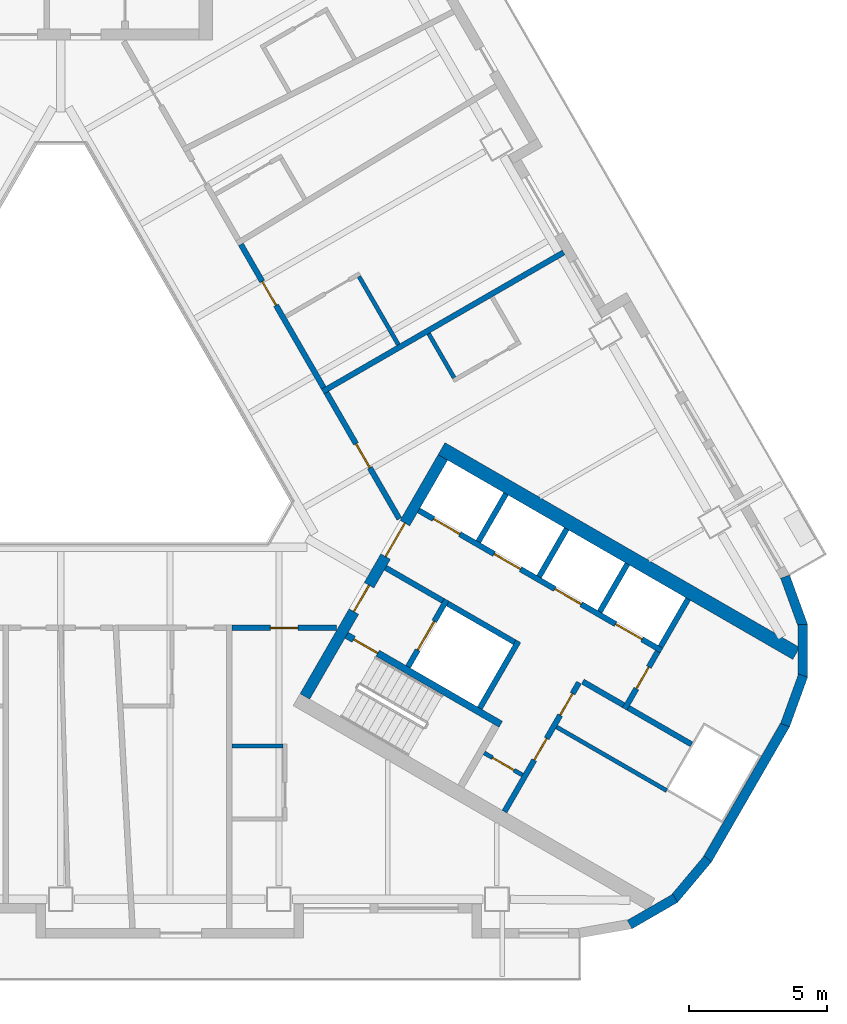
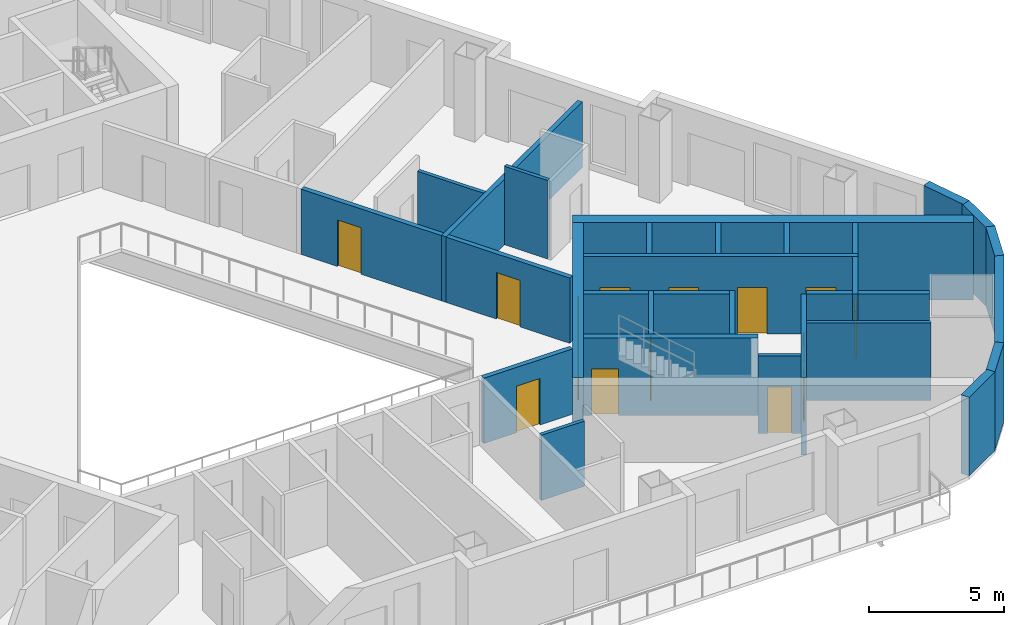
# One storey, part 5 of 14: 31 walls, 15 doors, 15 openings.
"""IFC4 building model written with IfcOpenShell, lengths in metres."""

from ifc_helpers import new_model, si_unit, direction, frame, frame_2d, origin, place, context, subcontext, project, spatial, rectangle, extrude, material, layer, layer_set, type_object, element, fill, save


model = new_model("IFC4")

# Units and contexts
model_context = context("Model", 3, precision=1e-05, world=origin(), true_north=direction((0.0, 1.0)))
body_context = subcontext(model_context, "Body", "Model", "MODEL_VIEW")
ifc_project = project(units=[si_unit("LENGTHUNIT", "METRE"), si_unit("AREAUNIT", "SQUARE_METRE"), si_unit("VOLUMEUNIT", "CUBIC_METRE"), si_unit("PLANEANGLEUNIT", "RADIAN"), si_unit("MASSUNIT", "GRAM", prefix="KILO")], contexts=[model_context])

# Site, building, storey
site_placement = place(None, origin())
site = spatial("IfcSite", under=ifc_project, at=site_placement, CompositionType="ELEMENT")
building_placement = place(site_placement, origin())
building = spatial("IfcBuilding", under=site, at=building_placement, Name="Apuvela Tower Hotel", CompositionType="ELEMENT")
storey_placement = place(building_placement, frame((0.0, 0.0, 87.199951171875)))
storey = spatial("IfcBuildingStorey", under=building, at=storey_placement, Name="L19", CompositionType="ELEMENT", Elevation=87.199951171875)

# Wall, openings, doors
ifc_material_1 = material(Name="Concrete C50/60", Category="concrete")
ifc_layer_1 = layer(ifc_material_1, 0.39990234375)
ifc_layer_set_1 = layer_set([ifc_layer_1], Name="COR-WALL-CORE-400")
wall_type_1 = type_object("IfcWallType", Name="COR-WALL-CORE-400", PredefinedType="SHEAR", material=ifc_layer_set_1)
wall_1_placement = place(storey_placement, frame((8.844970703125, -10.880126953125, 0.0), z_axis=(0.0, 0.0, 1.0), x_axis=(0.500004234368, 0.866022959057, 0.0)))
wall_1 = element("IfcWall", 1, at=wall_1_placement, inside=storey, type_object=wall_type_1, Name="Core wall SE", PredefinedType="SHEAR", context=body_context, shape_type="SweptSolid", body=[
    extrude(rectangle(XDim=10.0, YDim=0.39990234375, at=frame_2d((5.0, 0.0))), origin(), (0.0, 0.0, 1.0), 3.5),
])
opening_1_placement = place(wall_1_placement, frame((3.550048828125, 0.0, 0.0)))
opening_1 = element("IfcOpeningElement", 2, at=opening_1_placement, cuts=wall_1, Name="Opening E-FD", PredefinedType="OPENING", context=body_context, shape_type="SweptSolid", body=[
    extrude(rectangle(XDim=1.10009765625, YDim=2.10009765625, at=frame_2d((0.550048828125, 1.050048828125))), frame((0.0, 0.2099609375, 0.0), z_axis=(0.0, -1.0, 0.0), x_axis=(1.0, 0.0, 0.0)), (0.0, 0.0, 1.0), 0.419921875),
])
opening_2_placement = place(wall_1_placement, frame((5.85009765625, 0.0, 0.0)))
opening_2 = element("IfcOpeningElement", 3, at=opening_2_placement, cuts=wall_1, Name="Opening E-GD", PredefinedType="OPENING", context=body_context, shape_type="SweptSolid", body=[
    extrude(rectangle(XDim=1.39990234375, YDim=2.10009765625, at=frame_2d((0.699951171875, 1.050048828125))), frame((0.0, 0.2099609375, 0.0), z_axis=(0.0, -1.0, 0.0), x_axis=(1.0, 0.0, 0.0)), (0.0, 0.0, 1.0), 0.419921875),
])
ifc_material_2 = material(Name="Steel fire door, powder coated", Category="steel")
door_type_1 = type_object("IfcDoorType", Name="COR-FD-1100", OperationType="NOTDEFINED", PredefinedType="DOOR", material=ifc_material_2)
door_1_placement = place(opening_1_placement, frame((1.10009765625, 0.0, 0.0), z_axis=(0.0, 0.0, 1.0), x_axis=(-1.0, 0.0, 0.0)))
door_1 = element("IfcDoor", 4, at=door_1_placement, inside=storey, type_object=door_type_1, Name="Firefighting lobby door E-FD", OperationType="SINGLE_SWING_LEFT", OverallHeight=2.10009765625, OverallWidth=1.10009765625, PredefinedType="DOOR", context=body_context, shape_type="SweptSolid", body=[
    extrude(rectangle(XDim=1.10009765625, YDim=2.10009765625, at=frame_2d((0.550048828125, 1.050048828125))), frame((0.0, 0.02490234375, 0.0), z_axis=(0.0, -1.0, 0.0), x_axis=(1.0, 0.0, 0.0)), (0.0, 0.0, 1.0), 0.050048828125),
])
fill(opening_1, door_1)
ifc_material_3 = material(Name="Glazed steel fire door", Category="steel")
door_type_2 = type_object("IfcDoorType", Name="COR-GD-1400", OperationType="DOUBLE_DOOR_SINGLE_SWING", PredefinedType="DOOR", material=ifc_material_3)
door_2_placement = place(opening_2_placement, frame((1.39990234375, 0.0, 0.0), z_axis=(0.0, 0.0, 1.0), x_axis=(-1.0, 0.0, 0.0)))
door_2 = element("IfcDoor", 5, at=door_2_placement, inside=storey, type_object=door_type_2, Name="Lift lobby door E-GD", OperationType="DOUBLE_DOOR_SINGLE_SWING", OverallHeight=2.10009765625, OverallWidth=1.39990234375, PredefinedType="DOOR", context=body_context, shape_type="SweptSolid", body=[
    extrude(rectangle(XDim=1.39990234375, YDim=2.10009765625, at=frame_2d((0.699951171875, 1.050048828125))), frame((0.0, 0.02490234375, 0.0), z_axis=(0.0, -1.0, 0.0), x_axis=(1.0, 0.0, 0.0)), (0.0, 0.0, 1.0), 0.050048828125),
])
fill(opening_2, door_2)

# Wall
ifc_layer_2 = layer(ifc_material_1, 0.5)
ifc_layer_set_2 = layer_set([ifc_layer_2], Name="COR-WALL-CORE-500")
wall_type_2 = type_object("IfcWallType", Name="COR-WALL-CORE-500", PredefinedType="SHEAR", material=ifc_layer_set_2)
wall_2_placement = place(storey_placement, frame((13.796630859375, -1.9033203125, 0.0), z_axis=(0.0, 0.0, 1.0), x_axis=(0.866025009528, -0.500000682871, 0.0)))
element("IfcWall", 6, at=wall_2_placement, inside=storey, type_object=wall_type_2, Name="Core wall SE", PredefinedType="SHEAR", context=body_context, shape_type="SweptSolid", body=[
    extrude(rectangle(XDim=14.8369140625, YDim=0.5, at=frame_2d((7.41845703125, 0.0))), origin(), (0.0, 0.0, 1.0), 3.5),
])

# Wall, opening, door
ifc_material_4 = material(Name="Blockwork 150 mm plastered", Category="masonry")
ifc_layer_3 = layer(ifc_material_4, 0.14990234375)
ifc_layer_set_3 = layer_set([ifc_layer_3], Name="COR-WALL-PART-150")
wall_type_3 = type_object("IfcWallType", Name="COR-WALL-PART-150", PredefinedType="PARTITIONING", material=ifc_layer_set_3)
wall_3_placement = place(storey_placement, frame((15.341552734375, -12.927734375, 0.0), z_axis=(0.0, 0.0, 1.0), x_axis=(0.865989903783, -0.500061482766, 0.0)))
wall_3 = element("IfcWall", 7, at=wall_3_placement, inside=storey, type_object=wall_type_3, Name="Partition SE", PredefinedType="PARTITIONING", context=body_context, shape_type="SweptSolid", body=[
    extrude(rectangle(XDim=1.599853515625, YDim=0.14990234375, at=frame_2d((0.7998046875, 0.0))), origin(), (0.0, 0.0, 1.0), 3.5),
])
opening_3_placement = place(wall_3_placement, frame((0.35009765625, 0.0, 0.0)))
opening_3 = element("IfcOpeningElement", 8, at=opening_3_placement, cuts=wall_3, Name="Opening E-RD", PredefinedType="OPENING", context=body_context, shape_type="SweptSolid", body=[
    extrude(rectangle(XDim=0.89990234375, YDim=2.10009765625, at=frame_2d((0.449951171875, 1.050048828125))), frame((0.0, 0.0849609375, 0.0), z_axis=(0.0, -1.0, 0.0), x_axis=(1.0, 0.0, 0.0)), (0.0, 0.0, 1.0), 0.169921875),
])
ifc_material_5 = material(Name="Steel access door, powder coated", Category="steel")
door_type_3 = type_object("IfcDoorType", Name="COR-RD-900", OperationType="NOTDEFINED", PredefinedType="DOOR", material=ifc_material_5)
door_3_placement = place(opening_3_placement, frame((0.89990234375, 0.0, 0.0), z_axis=(0.0, 0.0, 1.0), x_axis=(-1.0, 0.0, 0.0)))
door_3 = element("IfcDoor", 9, at=door_3_placement, inside=storey, type_object=door_type_3, Name="Riser door E-RD", OperationType="SINGLE_SWING_LEFT", OverallHeight=2.10009765625, OverallWidth=0.89990234375, PredefinedType="DOOR", context=body_context, shape_type="SweptSolid", body=[
    extrude(rectangle(XDim=0.89990234375, YDim=2.10009765625, at=frame_2d((0.449951171875, 1.050048828125))), frame((0.0, 0.02490234375, 0.0), z_axis=(0.0, -1.0, 0.0), x_axis=(1.0, 0.0, 0.0)), (0.0, 0.0, 1.0), 0.050048828125),
])
fill(opening_3, door_3)

# Wall
wall_4_placement = place(storey_placement, frame((17.962890625, -11.9873046875, 0.0), z_axis=(0.0, 0.0, 1.0), x_axis=(0.865998608524, -0.500046407882, 0.0)))
element("IfcWall", 10, at=wall_4_placement, inside=storey, type_object=wall_type_3, Name="Partition SE", PredefinedType="PARTITIONING", context=body_context, shape_type="SweptSolid", body=[
    extrude(rectangle(XDim=4.60986328125, YDim=0.14990234375, at=frame_2d((2.304931640625, 0.0))), origin(), (0.0, 0.0, 1.0), 3.5),
])

# Wall, openings, doors
ifc_material_6 = material(Name="Blockwork 200 mm plastered", Category="masonry")
ifc_layer_4 = layer(ifc_material_6, 0.199951171875)
ifc_layer_set_4 = layer_set([ifc_layer_4], Name="COR-WALL-PART-200")
wall_type_4 = type_object("IfcWallType", Name="COR-WALL-PART-200", PredefinedType="PARTITIONING", material=ifc_layer_set_4)
wall_5_placement = place(storey_placement, frame((16.076171875, -15.05517578125, 0.0), z_axis=(0.0, 0.0, 1.0), x_axis=(0.499995103361, 0.866028230842, 0.0)))
wall_5 = element("IfcWall", 11, at=wall_5_placement, inside=storey, type_object=wall_type_4, Name="Partition SE", PredefinedType="PARTITIONING", context=body_context, shape_type="SweptSolid", body=[
    extrude(rectangle(XDim=5.39990234375, YDim=0.199951171875, at=frame_2d((2.699951171875, 0.0))), origin(), (0.0, 0.0, 1.0), 3.5),
])
opening_4_placement = place(wall_5_placement, frame((2.16259765625, 0.0, 0.0)))
opening_4 = element("IfcOpeningElement", 12, at=opening_4_placement, cuts=wall_5, Name="Opening E-RS1", PredefinedType="OPENING", context=body_context, shape_type="SweptSolid", body=[
    extrude(rectangle(XDim=0.89990234375, YDim=2.10009765625, at=frame_2d((0.449951171875, 1.050048828125))), frame((0.0, 0.10986328125, 0.0), z_axis=(0.0, -1.0, 0.0), x_axis=(1.0, 0.0, 0.0)), (0.0, 0.0, 1.0), 0.219970703125),
])
opening_5_placement = place(wall_5_placement, frame((4.03759765625, 0.0, 0.0)))
opening_5 = element("IfcOpeningElement", 13, at=opening_5_placement, cuts=wall_5, Name="Opening E-RS2", PredefinedType="OPENING", context=body_context, shape_type="SweptSolid", body=[
    extrude(rectangle(XDim=0.89990234375, YDim=2.10009765625, at=frame_2d((0.449951171875, 1.050048828125))), frame((0.0, 0.10986328125, 0.0), z_axis=(0.0, -1.0, 0.0), x_axis=(1.0, 0.0, 0.0)), (0.0, 0.0, 1.0), 0.219970703125),
])
door_type_4 = type_object("IfcDoorType", Name="COR-DR-900", OperationType="NOTDEFINED", PredefinedType="DOOR", material=ifc_material_2)
door_4_placement = place(opening_4_placement, frame((0.89990234375, 0.0, 0.0), z_axis=(0.0, 0.0, 1.0), x_axis=(-1.0, 0.0, 0.0)))
door_4 = element("IfcDoor", 14, at=door_4_placement, inside=storey, type_object=door_type_4, Name="Store door E-RS1", OperationType="SINGLE_SWING_LEFT", OverallHeight=2.10009765625, OverallWidth=0.89990234375, PredefinedType="DOOR", context=body_context, shape_type="SweptSolid", body=[
    extrude(rectangle(XDim=0.89990234375, YDim=2.10009765625, at=frame_2d((0.449951171875, 1.050048828125))), frame((0.0, 0.02490234375, 0.0), z_axis=(0.0, -1.0, 0.0), x_axis=(1.0, 0.0, 0.0)), (0.0, 0.0, 1.0), 0.050048828125),
])
fill(opening_4, door_4)
door_5_placement = place(opening_5_placement, frame((0.89990234375, 0.0, 0.0), z_axis=(0.0, 0.0, 1.0), x_axis=(-1.0, 0.0, 0.0)))
door_5 = element("IfcDoor", 15, at=door_5_placement, inside=storey, type_object=door_type_4, Name="Store door E-RS2", OperationType="SINGLE_SWING_LEFT", OverallHeight=2.10009765625, OverallWidth=0.89990234375, PredefinedType="DOOR", context=body_context, shape_type="SweptSolid", body=[
    extrude(rectangle(XDim=0.89990234375, YDim=2.10009765625, at=frame_2d((0.449951171875, 1.050048828125))), frame((0.0, 0.02490234375, 0.0), z_axis=(0.0, -1.0, 0.0), x_axis=(1.0, 0.0, 0.0)), (0.0, 0.0, 1.0), 0.050048828125),
])
fill(opening_5, door_5)

# Wall
ifc_layer_5 = layer(ifc_material_1, 0.199951171875)
ifc_layer_set_5 = layer_set([ifc_layer_5], Name="COR-WALL-SHAFT-200")
wall_type_5 = type_object("IfcWallType", Name="COR-WALL-SHAFT-200", PredefinedType="SHEAR", material=ifc_layer_set_5)
wall_6_placement = place(storey_placement, frame((15.181396484375, -11.305419921875, 0.0), z_axis=(0.0, 0.0, 1.0), x_axis=(0.49994636267, 0.866056369097, 0.0)))
element("IfcWall", 16, at=wall_6_placement, inside=storey, type_object=wall_type_5, Name="Shaft wall SE", PredefinedType="SHEAR", context=body_context, shape_type="SweptSolid", body=[
    extrude(rectangle(XDim=2.800048828125, YDim=0.199951171875, at=frame_2d((1.39990234375, 0.0))), origin(), (0.0, 0.0, 1.0), 3.5),
])

# Wall, opening, door
wall_7_placement = place(storey_placement, frame((12.583251953125, -9.805419921875, 0.0), z_axis=(0.0, 0.0, 1.0), x_axis=(0.49994636267, 0.866056369097, 0.0)))
wall_7 = element("IfcWall", 17, at=wall_7_placement, inside=storey, type_object=wall_type_5, Name="Shaft wall SE", PredefinedType="SHEAR", context=body_context, shape_type="SweptSolid", body=[
    extrude(rectangle(XDim=2.800048828125, YDim=0.199951171875, at=frame_2d((1.39990234375, 0.0))), origin(), (0.0, 0.0, 1.0), 3.5),
])
opening_6_placement = place(wall_7_placement, frame((0.699951171875, 0.0, 0.0)))
opening_6 = element("IfcOpeningElement", 18, at=opening_6_placement, cuts=wall_7, Name="Opening E-LD-FS3", PredefinedType="OPENING", context=body_context, shape_type="SweptSolid", body=[
    extrude(rectangle(XDim=1.199951171875, YDim=2.10009765625, at=frame_2d((0.60009765625, 1.050048828125))), frame((0.0, 0.10986328125, 0.0), z_axis=(0.0, -1.0, 0.0), x_axis=(1.0, 0.0, 0.0)), (0.0, 0.0, 1.0), 0.219970703125),
])
ifc_material_7 = material(Name="Stainless steel lift landing door", Category="steel")
door_type_5 = type_object("IfcDoorType", Name="COR-LD-1200", OperationType="DOUBLE_DOOR_SLIDING", PredefinedType="DOOR", material=ifc_material_7)
door_6_placement = place(opening_6_placement, origin())
door_6 = element("IfcDoor", 19, at=door_6_placement, inside=storey, type_object=door_type_5, Name="Lift landing door E-LD-FS3", OperationType="DOUBLE_DOOR_SLIDING", OverallHeight=2.10009765625, OverallWidth=1.199951171875, PredefinedType="DOOR", context=body_context, shape_type="SweptSolid", body=[
    extrude(rectangle(XDim=1.199951171875, YDim=2.10009765625, at=frame_2d((0.60009765625, 1.050048828125))), frame((0.0, 0.02490234375, 0.0), z_axis=(0.0, -1.0, 0.0), x_axis=(1.0, 0.0, 0.0)), (0.0, 0.0, 1.0), 0.050048828125),
])
fill(opening_6, door_6)

# Walls
wall_8_placement = place(storey_placement, frame((11.76806640625, -6.217041015625, 0.0), z_axis=(0.0, 0.0, 1.0), x_axis=(0.866050077142, -0.499957262057, 0.0)))
element("IfcWall", 20, at=wall_8_placement, inside=storey, type_object=wall_type_5, Name="Shaft wall SE", PredefinedType="SHEAR", context=body_context, shape_type="SweptSolid", body=[
    extrude(rectangle(XDim=2.400146484375, YDim=0.199951171875, at=frame_2d((1.2001953125, 0.0))), origin(), (0.0, 0.0, 1.0), 3.5),
])
wall_9_placement = place(storey_placement, frame((14.019775390625, -7.51708984375, 0.0), z_axis=(0.0, 0.0, 1.0), x_axis=(0.866034573852, -0.49998411664, 0.0)))
element("IfcWall", 21, at=wall_9_placement, inside=storey, type_object=wall_type_5, Name="Shaft wall SE", PredefinedType="SHEAR", context=body_context, shape_type="SweptSolid", body=[
    extrude(rectangle(XDim=2.7998046875, YDim=0.199951171875, at=frame_2d((1.39990234375, 0.0))), origin(), (0.0, 0.0, 1.0), 3.5),
])

# Wall, openings, doors
wall_10_placement = place(storey_placement, frame((12.968017578125, -4.138427734375, 0.0), z_axis=(0.0, 0.0, 1.0), x_axis=(0.866028328073, -0.49999493495, 0.0)))
wall_10 = element("IfcWall", 22, at=wall_10_placement, inside=storey, type_object=wall_type_5, Name="Shaft wall SE", PredefinedType="SHEAR", context=body_context, shape_type="SweptSolid", body=[
    extrude(rectangle(XDim=10.16015625, YDim=0.199951171875, at=frame_2d((5.080078125, 0.0))), origin(), (0.0, 0.0, 1.0), 3.5),
])
opening_7_placement = place(wall_10_placement, frame((0.6201171875, 0.0, 0.0)))
opening_7 = element("IfcOpeningElement", 23, at=opening_7_placement, cuts=wall_10, Name="Opening E-LD-LR1", PredefinedType="OPENING", context=body_context, shape_type="SweptSolid", body=[
    extrude(rectangle(XDim=1.10009765625, YDim=2.10009765625, at=frame_2d((0.550048828125, 1.050048828125))), frame((0.0, 0.10986328125, 0.0), z_axis=(0.0, -1.0, 0.0), x_axis=(1.0, 0.0, 0.0)), (0.0, 0.0, 1.0), 0.219970703125),
])
opening_8_placement = place(wall_10_placement, frame((3.159912109375, 0.0, 0.0)))
opening_8 = element("IfcOpeningElement", 24, at=opening_8_placement, cuts=wall_10, Name="Opening E-LD-LR2", PredefinedType="OPENING", context=body_context, shape_type="SweptSolid", body=[
    extrude(rectangle(XDim=1.10009765625, YDim=2.10009765625, at=frame_2d((0.550048828125, 1.050048828125))), frame((0.0, 0.10986328125, 0.0), z_axis=(0.0, -1.0, 0.0), x_axis=(1.0, 0.0, 0.0)), (0.0, 0.0, 1.0), 0.219970703125),
])
opening_9_placement = place(wall_10_placement, frame((5.699951171875, 0.0, 0.0)))
opening_9 = element("IfcOpeningElement", 25, at=opening_9_placement, cuts=wall_10, Name="Opening E-LD-LR3", PredefinedType="OPENING", context=body_context, shape_type="SweptSolid", body=[
    extrude(rectangle(XDim=1.10009765625, YDim=2.10009765625, at=frame_2d((0.550048828125, 1.050048828125))), frame((0.0, 0.10986328125, 0.0), z_axis=(0.0, -1.0, 0.0), x_axis=(1.0, 0.0, 0.0)), (0.0, 0.0, 1.0), 0.219970703125),
])
opening_10_placement = place(wall_10_placement, frame((8.239990234375, 0.0, 0.0)))
opening_10 = element("IfcOpeningElement", 26, at=opening_10_placement, cuts=wall_10, Name="Opening E-LD-LR4", PredefinedType="OPENING", context=body_context, shape_type="SweptSolid", body=[
    extrude(rectangle(XDim=1.10009765625, YDim=2.10009765625, at=frame_2d((0.550048828125, 1.050048828125))), frame((0.0, 0.10986328125, 0.0), z_axis=(0.0, -1.0, 0.0), x_axis=(1.0, 0.0, 0.0)), (0.0, 0.0, 1.0), 0.219970703125),
])
door_type_6 = type_object("IfcDoorType", Name="COR-LD-1100", OperationType="DOUBLE_DOOR_SLIDING", PredefinedType="DOOR", material=ifc_material_7)
door_7_placement = place(opening_7_placement, origin())
door_7 = element("IfcDoor", 27, at=door_7_placement, inside=storey, type_object=door_type_6, Name="Lift landing door E-LD-LR1", OperationType="DOUBLE_DOOR_SLIDING", OverallHeight=2.10009765625, OverallWidth=1.10009765625, PredefinedType="DOOR", context=body_context, shape_type="SweptSolid", body=[
    extrude(rectangle(XDim=1.10009765625, YDim=2.10009765625, at=frame_2d((0.550048828125, 1.050048828125))), frame((0.0, 0.02490234375, 0.0), z_axis=(0.0, -1.0, 0.0), x_axis=(1.0, 0.0, 0.0)), (0.0, 0.0, 1.0), 0.050048828125),
])
fill(opening_7, door_7)
door_8_placement = place(opening_8_placement, origin())
door_8 = element("IfcDoor", 28, at=door_8_placement, inside=storey, type_object=door_type_6, Name="Lift landing door E-LD-LR2", OperationType="DOUBLE_DOOR_SLIDING", OverallHeight=2.10009765625, OverallWidth=1.10009765625, PredefinedType="DOOR", context=body_context, shape_type="SweptSolid", body=[
    extrude(rectangle(XDim=1.10009765625, YDim=2.10009765625, at=frame_2d((0.550048828125, 1.050048828125))), frame((0.0, 0.02490234375, 0.0), z_axis=(0.0, -1.0, 0.0), x_axis=(1.0, 0.0, 0.0)), (0.0, 0.0, 1.0), 0.050048828125),
])
fill(opening_8, door_8)
door_9_placement = place(opening_9_placement, origin())
door_9 = element("IfcDoor", 29, at=door_9_placement, inside=storey, type_object=door_type_6, Name="Lift landing door E-LD-LR3", OperationType="DOUBLE_DOOR_SLIDING", OverallHeight=2.10009765625, OverallWidth=1.10009765625, PredefinedType="DOOR", context=body_context, shape_type="SweptSolid", body=[
    extrude(rectangle(XDim=1.10009765625, YDim=2.10009765625, at=frame_2d((0.550048828125, 1.050048828125))), frame((0.0, 0.02490234375, 0.0), z_axis=(0.0, -1.0, 0.0), x_axis=(1.0, 0.0, 0.0)), (0.0, 0.0, 1.0), 0.050048828125),
])
fill(opening_9, door_9)
door_10_placement = place(opening_10_placement, origin())
door_10 = element("IfcDoor", 30, at=door_10_placement, inside=storey, type_object=door_type_6, Name="Lift landing door E-LD-LR4", OperationType="DOUBLE_DOOR_SLIDING", OverallHeight=2.10009765625, OverallWidth=1.10009765625, PredefinedType="DOOR", context=body_context, shape_type="SweptSolid", body=[
    extrude(rectangle(XDim=1.10009765625, YDim=2.10009765625, at=frame_2d((0.550048828125, 1.050048828125))), frame((0.0, 0.02490234375, 0.0), z_axis=(0.0, -1.0, 0.0), x_axis=(1.0, 0.0, 0.0)), (0.0, 0.0, 1.0), 0.050048828125),
])
fill(opening_10, door_10)

# Wall, opening, door
wall_11_placement = place(storey_placement, frame((20.430419921875, -11.33349609375, 0.0), z_axis=(0.0, 0.0, 1.0), x_axis=(0.500001309137, 0.866024647952, 0.0)))
wall_11 = element("IfcWall", 31, at=wall_11_placement, inside=storey, type_object=wall_type_5, Name="Shaft wall SE", PredefinedType="SHEAR", context=body_context, shape_type="SweptSolid", body=[
    extrude(rectangle(XDim=2.39990234375, YDim=0.199951171875, at=frame_2d((1.199951171875, 0.0))), origin(), (0.0, 0.0, 1.0), 3.5),
])
opening_11_placement = place(wall_11_placement, frame((0.85009765625, 0.0, 0.0)))
opening_11 = element("IfcOpeningElement", 32, at=opening_11_placement, cuts=wall_11, Name="Opening E-REP", PredefinedType="OPENING", context=body_context, shape_type="SweptSolid", body=[
    extrude(rectangle(XDim=0.89990234375, YDim=2.10009765625, at=frame_2d((0.449951171875, 1.050048828125))), frame((0.0, 0.10986328125, 0.0), z_axis=(0.0, -1.0, 0.0), x_axis=(1.0, 0.0, 0.0)), (0.0, 0.0, 1.0), 0.219970703125),
])
door_11_placement = place(opening_11_placement, frame((0.89990234375, 0.0, 0.0), z_axis=(0.0, 0.0, 1.0), x_axis=(-1.0, 0.0, 0.0)))
door_11 = element("IfcDoor", 33, at=door_11_placement, inside=storey, type_object=door_type_4, Name="Store door E-REP", OperationType="SINGLE_SWING_RIGHT", OverallHeight=2.10009765625, OverallWidth=0.89990234375, PredefinedType="DOOR", context=body_context, shape_type="SweptSolid", body=[
    extrude(rectangle(XDim=0.89990234375, YDim=2.10009765625, at=frame_2d((0.449951171875, 1.050048828125))), frame((0.0, 0.02490234375, 0.0), z_axis=(0.0, -1.0, 0.0), x_axis=(1.0, 0.0, 0.0)), (0.0, 0.0, 1.0), 0.050048828125),
])
fill(opening_11, door_11)

# Walls
wall_12_placement = place(storey_placement, frame((18.912841796875, -10.342041015625, 0.0), z_axis=(0.0, 0.0, 1.0), x_axis=(0.866038183914, -0.499977863513, 0.0)))
element("IfcWall", 34, at=wall_12_placement, inside=storey, type_object=wall_type_5, Name="Shaft wall SE", PredefinedType="SHEAR", context=body_context, shape_type="SweptSolid", body=[
    extrude(rectangle(XDim=1.7099609375, YDim=0.199951171875, at=frame_2d((0.85498046875, 0.0))), origin(), (0.0, 0.0, 1.0), 3.5),
])
for number, where, z_axis, x_axis, name in (
    (35, (15.131103515625, -5.27197265625, 0.0), (0.0, 0.0, 1.0), (0.499972520799, 0.866041268327, 0.0), "Shaft wall SE"),
    (36, (17.330810546875, -6.5419921875, 0.0), (0.0, 0.0, 1.0), (0.499972520799, 0.866041268327, 0.0), "Shaft wall SE"),
    (37, (19.530517578125, -7.81201171875, 0.0), (0.0, 0.0, 1.0), (0.499972520799, 0.866041268327, 0.0), "Shaft wall SE"),
    (38, (21.73046875, -9.081787109375, 0.0), (0.0, 0.0, 1.0), (0.50002537861, 0.866010750942, 0.0), "Shaft wall SE"),
):
    element("IfcWall", number, at=place(storey_placement, frame(where, z_axis=z_axis, x_axis=x_axis)), inside=storey, type_object=wall_type_5, Name=name, PredefinedType="SHEAR", context=body_context, shape_type="SweptSolid", body=[
        extrude(rectangle(XDim=2.0, YDim=0.199951171875, at=frame_2d((1.0, 0.0))), origin(), (0.0, 0.0, 1.0), 3.5),
    ])
wall_13_placement = place(storey_placement, frame((20.56689453125, -11.297119140625, 0.0), z_axis=(0.0, 0.0, 1.0), x_axis=(0.866060851709, -0.499938597367, 0.0)))
element("IfcWall", 39, at=wall_13_placement, inside=storey, type_object=wall_type_5, Name="Shaft wall SE", PredefinedType="SHEAR", context=body_context, shape_type="SweptSolid", body=[
    extrude(rectangle(XDim=2.639892578125, YDim=0.199951171875, at=frame_2d((1.31982421875, 0.0))), origin(), (0.0, 0.0, 1.0), 3.5),
])

# Wall, opening, door
ifc_layer_6 = layer(ifc_material_1, 0.25)
ifc_layer_set_6 = layer_set([ifc_layer_6], Name="COR-WALL-STAIR-250")
wall_type_6 = type_object("IfcWallType", Name="COR-WALL-STAIR-250", PredefinedType="SHEAR", material=ifc_layer_set_6)
wall_14_placement = place(storey_placement, frame((10.355712890625, -8.66357421875, 0.0), z_axis=(0.0, 0.0, 1.0), x_axis=(0.866028629588, -0.499994412703, 0.0)))
wall_14 = element("IfcWall", 40, at=wall_14_placement, inside=storey, type_object=wall_type_6, Name="Stair wall SE", PredefinedType="SHEAR", context=body_context, shape_type="SweptSolid", body=[
    extrude(rectangle(XDim=6.44970703125, YDim=0.25, at=frame_2d((3.224853515625, 0.0))), origin(), (0.0, 0.0, 1.0), 3.5),
])
opening_12_placement = place(wall_14_placement, frame((0.300048828125, 0.0, 0.0)))
opening_12 = element("IfcOpeningElement", 41, at=opening_12_placement, cuts=wall_14, Name="Opening E-SD", PredefinedType="OPENING", context=body_context, shape_type="SweptSolid", body=[
    extrude(rectangle(XDim=1.0, YDim=2.10009765625, at=frame_2d((0.5, 1.050048828125))), frame((0.0, 0.135009765625, 0.0), z_axis=(0.0, -1.0, 0.0), x_axis=(1.0, 0.0, 0.0)), (0.0, 0.0, 1.0), 0.27001953125),
])
door_type_7 = type_object("IfcDoorType", Name="COR-SD-1000", OperationType="NOTDEFINED", PredefinedType="DOOR", material=ifc_material_2)
door_12_placement = place(opening_12_placement, frame((1.0, 0.0, 0.0), z_axis=(0.0, 0.0, 1.0), x_axis=(-1.0, 0.0, 0.0)))
door_12 = element("IfcDoor", 42, at=door_12_placement, inside=storey, type_object=door_type_7, Name="Stair door E-SD", OperationType="SINGLE_SWING_LEFT", OverallHeight=2.10009765625, OverallWidth=1.0, PredefinedType="DOOR", context=body_context, shape_type="SweptSolid", body=[
    extrude(rectangle(XDim=1.0, YDim=2.10009765625, at=frame_2d((0.5, 1.050048828125))), frame((0.0, 0.02490234375, 0.0), z_axis=(0.0, -1.0, 0.0), x_axis=(1.0, 0.0, 0.0)), (0.0, 0.0, 1.0), 0.050048828125),
])
fill(opening_12, door_12)

# Walls
ifc_material_8 = material(Name="Concrete C40/50, dark pigmented precast panel", Category="concrete")
ifc_layer_7 = layer(ifc_material_8, 0.35009765625)
ifc_layer_set_7 = layer_set([ifc_layer_7], Name="ENV-WALL-350")
wall_type_7 = type_object("IfcWallType", Name="ENV-WALL-350", PredefinedType="SOLIDWALL", material=ifc_layer_set_7)
for number, where, z_axis, x_axis, name in (
    (43, (20.609619140625, -19.146728515625, 0.0), (0.0, 0.0, 1.0), (0.866000389056, 0.500043324278, 0.0), "External wall L19-27"),
    (44, (22.21728515625, -18.230712890625, 0.0), (0.0, 0.0, 1.0), (0.642733291068, 0.76609001857, 0.0), "External wall L19-28"),
):
    element("IfcWall", number, at=place(storey_placement, frame(where, z_axis=z_axis, x_axis=x_axis)), inside=storey, type_object=wall_type_7, Name=name, PredefinedType="SOLIDWALL", context=body_context, shape_type="SweptSolid", body=[
        extrude(rectangle(XDim=1.909912109375, YDim=0.35009765625, at=frame_2d((0.955078125, 0.0))), origin(), (0.0, 0.0, 1.0), 3.550048828125),
    ])
wall_15_placement = place(storey_placement, frame((23.427490234375, -16.79248046875, 0.0), z_axis=(0.0, 0.0, 1.0), x_axis=(0.500018773155, 0.866014564827, 0.0)))
element("IfcWall", 45, at=wall_15_placement, inside=storey, type_object=wall_type_7, Name="External wall L19-29", PredefinedType="SOLIDWALL", context=body_context, shape_type="SweptSolid", body=[
    extrude(rectangle(XDim=5.657958984375, YDim=0.35009765625, at=frame_2d((2.8291015625, 0.0))), origin(), (0.0, 0.0, 1.0), 3.550048828125),
])
for number, where, z_axis, x_axis, name in (
    (46, (26.24365234375, -11.920166015625, 0.0), (0.0, 0.0, 1.0), (0.342030395486, 0.939688889242, 0.0), "External wall L19-30"),
    (47, (26.88623046875, -10.18505859375, 0.0), (0.0, 0.0, 1.0), (0.0, 1.0, 0.0), "External wall L19-31"),
    (48, (26.89697265625, -8.334716796875, 0.0), (0.0, 0.0, 1.0), (-0.342030395486, 0.939688889242, 0.0), "External wall L19-32"),
):
    element("IfcWall", number, at=place(storey_placement, frame(where, z_axis=z_axis, x_axis=x_axis)), inside=storey, type_object=wall_type_7, Name=name, PredefinedType="SOLIDWALL", context=body_context, shape_type="SweptSolid", body=[
        extrude(rectangle(XDim=1.91015625, YDim=0.35009765625, at=frame_2d((0.955078125, 0.0))), origin(), (0.0, 0.0, 1.0), 3.550048828125),
    ])
ifc_material_9 = material(Name="Gypsum board partition on twin steel stud", Category="steel")
ifc_layer_8 = layer(ifc_material_9, 0.199951171875)
ifc_layer_set_8 = layer_set([ifc_layer_8], Name="GST-PW1")
wall_type_8 = type_object("IfcWallType", Name="GST-PW1", PredefinedType="PARTITIONING", material=ifc_layer_set_8)
wall_16_placement = place(storey_placement, frame((18.217529296875, 5.206298828125, 0.0), z_axis=(0.0, 0.0, 1.0), x_axis=(-0.866022637375, -0.500004791531, 0.0)))
element("IfcWall", 49, at=wall_16_placement, inside=storey, type_object=wall_type_8, Name="L19 partition 05", PredefinedType="PARTITIONING", context=body_context, shape_type="SweptSolid", body=[
    extrude(rectangle(XDim=10.080078125, YDim=0.199951171875, at=frame_2d((5.0400390625, 0.0))), origin(), (0.0, 0.0, 1.0), 2.9599609375),
])

# Wall, opening, door
ifc_material_10 = material(Name="Gypsum board corridor wall on twin steel stud, acoustic", Category="steel")
ifc_layer_9 = layer(ifc_material_10, 0.199951171875)
ifc_layer_set_9 = layer_set([ifc_layer_9], Name="GST-PW2")
wall_type_9 = type_object("IfcWallType", Name="GST-PW2", PredefinedType="PARTITIONING", material=ifc_layer_set_9)
wall_17_placement = place(storey_placement, frame((9.98828125, -8.39990234375, 0.0), z_axis=(0.0, 0.0, 1.0), x_axis=(-1.0, 0.0, 0.0)))
wall_17 = element("IfcWall", 50, at=wall_17_placement, inside=storey, type_object=wall_type_9, Name="L19 partition 24", PredefinedType="PARTITIONING", context=body_context, shape_type="SweptSolid", body=[
    extrude(rectangle(XDim=3.788330078125, YDim=0.199951171875, at=frame_2d((1.89404296875, 0.0))), origin(), (0.0, 0.0, 1.0), 2.949951171875),
])
opening_13_placement = place(wall_17_placement, frame((1.39404296875, 0.0, 0.0)))
opening_13 = element("IfcOpeningElement", 51, at=opening_13_placement, cuts=wall_17, Name="Opening GD06-10", PredefinedType="OPENING", context=body_context, shape_type="SweptSolid", body=[
    extrude(rectangle(XDim=1.0, YDim=2.10009765625, at=frame_2d((0.5, 1.050048828125))), frame((0.0, 0.10986328125, 0.0), z_axis=(0.0, -1.0, 0.0), x_axis=(1.0, 0.0, 0.0)), (0.0, 0.0, 1.0), 0.219970703125),
])
ifc_material_11 = material(Name="Timber door leaf in steel frame", Category="steel")
door_type_8 = type_object("IfcDoorType", Name="GST-D1", OperationType="NOTDEFINED", PredefinedType="DOOR", material=ifc_material_11)
door_13_placement = place(opening_13_placement, origin())
door_13 = element("IfcDoor", 52, at=door_13_placement, inside=storey, type_object=door_type_8, Name="Door L19-10", OperationType="SINGLE_SWING_RIGHT", OverallHeight=2.10009765625, OverallWidth=1.0, PredefinedType="DOOR", context=body_context, shape_type="SweptSolid", body=[
    extrude(rectangle(XDim=1.0, YDim=2.10009765625, at=frame_2d((0.5, 1.050048828125))), frame((0.0, 0.02490234375, 0.0), z_axis=(0.0, -1.0, 0.0), x_axis=(1.0, 0.0, 0.0)), (0.0, 0.0, 1.0), 0.050048828125),
])
fill(opening_13, door_13)

wall_18_placement = place(storey_placement, frame((9.62451171875, 0.129638671875, 0.0), z_axis=(0.0, 0.0, 1.0), x_axis=(0.500036828865, -0.866004139585, 0.0)))
wall_18 = element("IfcWall", 53, at=wall_18_placement, inside=storey, type_object=wall_type_9, Name="L19 partition 28", PredefinedType="PARTITIONING", context=body_context, shape_type="SweptSolid", body=[
    extrude(rectangle(XDim=5.2880859375, YDim=0.199951171875, at=frame_2d((2.64404296875, 0.0))), origin(), (0.0, 0.0, 1.0), 2.949951171875),
])
opening_14_placement = place(wall_18_placement, frame((2.14404296875, 0.0, 0.0)))
opening_14 = element("IfcOpeningElement", 54, at=opening_14_placement, cuts=wall_18, Name="Opening GD06-12", PredefinedType="OPENING", context=body_context, shape_type="SweptSolid", body=[
    extrude(rectangle(XDim=1.0, YDim=2.10009765625, at=frame_2d((0.5, 1.050048828125))), frame((0.0, 0.10986328125, 0.0), z_axis=(0.0, -1.0, 0.0), x_axis=(1.0, 0.0, 0.0)), (0.0, 0.0, 1.0), 0.219970703125),
])
door_14_placement = place(opening_14_placement, origin())
door_14 = element("IfcDoor", 55, at=door_14_placement, inside=storey, type_object=door_type_8, Name="Door L19-12", OperationType="SINGLE_SWING_LEFT", OverallHeight=2.10009765625, OverallWidth=1.0, PredefinedType="DOOR", context=body_context, shape_type="SweptSolid", body=[
    extrude(rectangle(XDim=1.0, YDim=2.10009765625, at=frame_2d((0.5, 1.050048828125))), frame((0.0, 0.02490234375, 0.0), z_axis=(0.0, -1.0, 0.0), x_axis=(1.0, 0.0, 0.0)), (0.0, 0.0, 1.0), 0.050048828125),
])
fill(opening_14, door_14)

wall_19_placement = place(storey_placement, frame((6.525634765625, 5.4970703125, 0.0), z_axis=(0.0, 0.0, 1.0), x_axis=(0.500026652407, -0.866010015463, 0.0)))
wall_19 = element("IfcWall", 56, at=wall_19_placement, inside=storey, type_object=wall_type_9, Name="L19 partition 32", PredefinedType="PARTITIONING", context=body_context, shape_type="SweptSolid", body=[
    extrude(rectangle(XDim=5.997802734375, YDim=0.199951171875, at=frame_2d((2.9990234375, 0.0))), origin(), (0.0, 0.0, 1.0), 2.949951171875),
])
opening_15_placement = place(wall_19_placement, frame((1.5478515625, 0.0, 0.0)))
opening_15 = element("IfcOpeningElement", 57, at=opening_15_placement, cuts=wall_19, Name="Opening GD06-14", PredefinedType="OPENING", context=body_context, shape_type="SweptSolid", body=[
    extrude(rectangle(XDim=1.0, YDim=2.10009765625, at=frame_2d((0.5, 1.050048828125))), frame((0.0, 0.10986328125, 0.0), z_axis=(0.0, -1.0, 0.0), x_axis=(1.0, 0.0, 0.0)), (0.0, 0.0, 1.0), 0.219970703125),
])
door_15_placement = place(opening_15_placement, origin())
door_15 = element("IfcDoor", 58, at=door_15_placement, inside=storey, type_object=door_type_8, Name="Door L19-14", OperationType="SINGLE_SWING_LEFT", OverallHeight=2.10009765625, OverallWidth=1.0, PredefinedType="DOOR", context=body_context, shape_type="SweptSolid", body=[
    extrude(rectangle(XDim=1.0, YDim=2.10009765625, at=frame_2d((0.5, 1.050048828125))), frame((0.0, 0.02490234375, 0.0), z_axis=(0.0, -1.0, 0.0), x_axis=(1.0, 0.0, 0.0)), (0.0, 0.0, 1.0), 0.050048828125),
])
fill(opening_15, door_15)

# Walls
ifc_material_12 = material(Name="Moisture-resistant gypsum board wet wall on steel stud", Category="steel")
ifc_layer_10 = layer(ifc_material_12, 0.14990234375)
ifc_layer_set_10 = layer_set([ifc_layer_10], Name="GST-PW3")
wall_type_10 = type_object("IfcWallType", Name="GST-PW3", PredefinedType="PARTITIONING", material=ifc_layer_set_10)
wall_20_placement = place(storey_placement, frame((6.199951171875, -12.675048828125, 0.0), z_axis=(0.0, 0.0, 1.0), x_axis=(1.0, 0.0, 0.0)))
element("IfcWall", 59, at=wall_20_placement, inside=storey, type_object=wall_type_10, Name="L19 partition 27", PredefinedType="PARTITIONING", context=body_context, shape_type="SweptSolid", body=[
    extrude(rectangle(XDim=1.85009765625, YDim=0.14990234375, at=frame_2d((0.925048828125, 0.0))), origin(), (0.0, 0.0, 1.0), 2.949951171875),
])
wall_21_placement = place(storey_placement, frame((14.251953125, 0.6650390625, 0.0), z_axis=(0.0, 0.0, 1.0), x_axis=(-0.500042316284, 0.866000971088, 0.0)))
element("IfcWall", 60, at=wall_21_placement, inside=storey, type_object=wall_type_10, Name="L19 partition 31", PredefinedType="PARTITIONING", context=body_context, shape_type="SweptSolid", body=[
    extrude(rectangle(XDim=1.849853515625, YDim=0.14990234375, at=frame_2d((0.9248046875, 0.0))), origin(), (0.0, 0.0, 1.0), 3.550048828125),
])
wall_22_placement = place(storey_placement, frame((12.23095703125, 1.865478515625, 0.0), z_axis=(0.0, 0.0, 1.0), x_axis=(-0.500036373335, 0.866004402611, 0.0)))
element("IfcWall", 61, at=wall_22_placement, inside=storey, type_object=wall_type_10, Name="L19 partition 34", PredefinedType="PARTITIONING", context=body_context, shape_type="SweptSolid", body=[
    extrude(rectangle(XDim=2.849853515625, YDim=0.14990234375, at=frame_2d((1.4248046875, 0.0))), origin(), (0.0, 0.0, 1.0), 2.949951171875),
])

save(model, "model.ifc")
